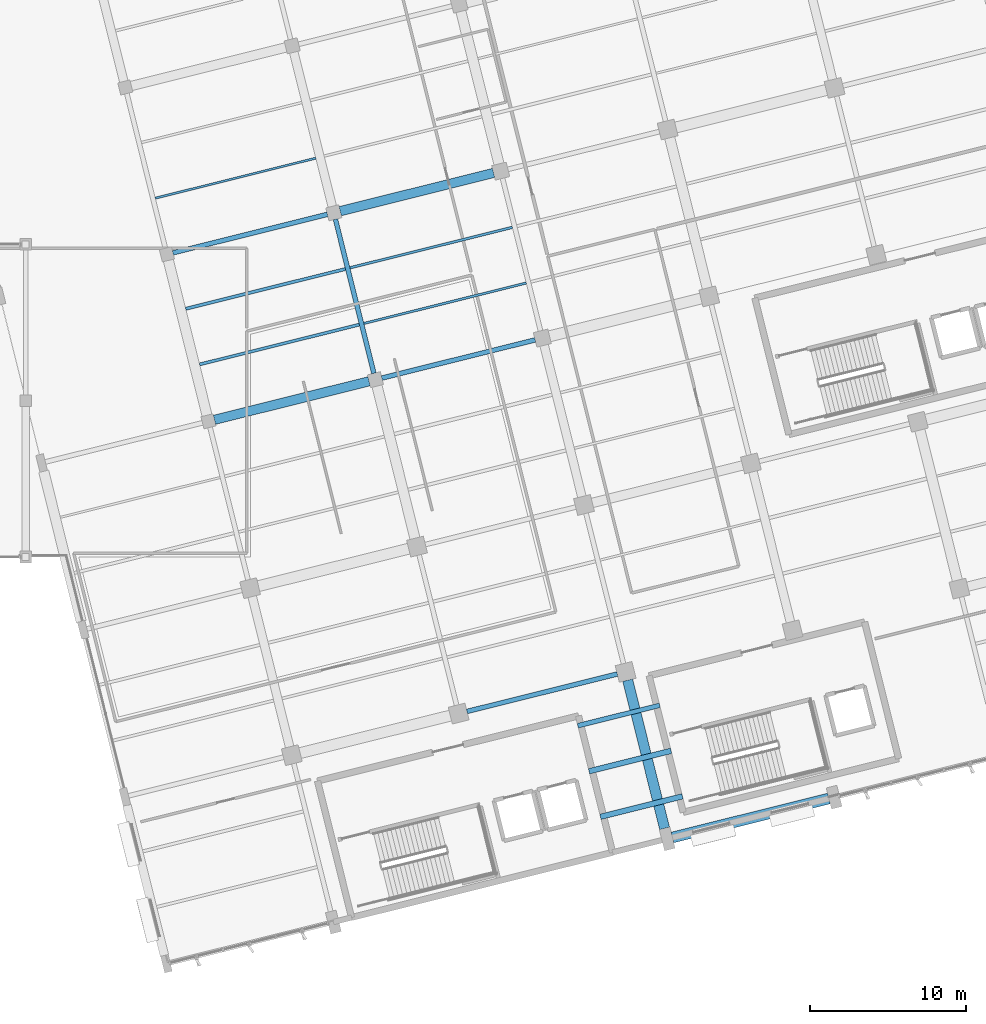
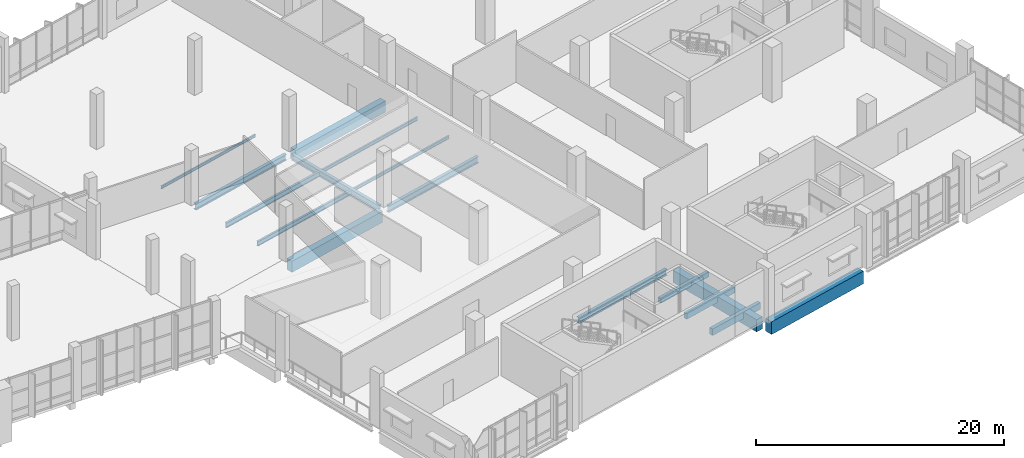
# One storey, part 75 of 176: 16 beams.
"""IFC4 building model written with IfcOpenShell, lengths in metres."""

from ifc_helpers import new_model, si_unit, direction, frame, origin, origin_2d, place, context, subcontext, project, spatial, rectangle, i_section, extrude, material, material_profile, profile_set, type_object, element, save


model = new_model("IFC4")

# Units and contexts
model_context = context("Model", 3, precision=1e-05, world=origin(), true_north=direction((0.0, 1.0)))
body_context = subcontext(model_context, "Body", "Model", "MODEL_VIEW")
ifc_project = project(units=[si_unit("LENGTHUNIT", "METRE"), si_unit("AREAUNIT", "SQUARE_METRE"), si_unit("VOLUMEUNIT", "CUBIC_METRE"), si_unit("PLANEANGLEUNIT", "RADIAN"), si_unit("MASSUNIT", "GRAM", prefix="KILO")], contexts=[model_context])

# Site, building, storey
site_placement = place(None, origin())
site = spatial("IfcSite", under=ifc_project, at=site_placement, CompositionType="ELEMENT")
building_placement = place(site_placement, origin())
building = spatial("IfcBuilding", under=site, at=building_placement, Name="Khorjan Park Terminus", CompositionType="ELEMENT")
storey_placement = place(building_placement, frame((0.0, 0.0, 6.0)))
storey = spatial("IfcBuildingStorey", under=building, at=storey_placement, Name="L01", CompositionType="ELEMENT", Elevation=6.0)

# Beams
ifc_material_1 = material(Name="Steel S355", Category="steel")
ifc_material_profile_1 = material_profile(ifc_material_1, i_section(OverallWidth=0.3, OverallDepth=0.64, WebThickness=0.0135, FlangeThickness=0.026, FilletRadius=0.027, at=origin_2d()), Name="HEA 650")
ifc_profile_set_1 = profile_set([ifc_material_profile_1], Name="Steel S355")
beam_type_1 = type_object("IfcBeamType", Name="BM-HEA650", PredefinedType="BEAM", material=ifc_profile_set_1)
beam_1_placement = place(storey_placement, frame((179.7706, 39.4436, -0.68), z_axis=(0.970294168541, 0.241928143249, 0.0), x_axis=(-0.241928143249, 0.970294168541, 0.0)))
element("IfcBeam", 1, at=beam_1_placement, inside=storey, type_object=beam_type_1, Name="Primary skew-grid floor girder SB-A65 (L01)", PredefinedType="BEAM", context=body_context, shape_type="SweptSolid", body=[
    extrude(i_section(OverallWidth=0.3, OverallDepth=0.64, WebThickness=0.0135, FlangeThickness=0.026, FilletRadius=0.027, at=origin_2d()), origin(), (0.0, 0.0, 1.0), 10.11),
])
ifc_material_profile_2 = material_profile(ifc_material_1, i_section(OverallWidth=0.3, OverallDepth=0.6, WebThickness=0.0155, FlangeThickness=0.03, FilletRadius=0.027, at=origin_2d()), Name="HEB 600")
ifc_profile_set_2 = profile_set([ifc_material_profile_2], Name="Steel S355")
beam_type_2 = type_object("IfcBeamType", Name="BM-HEB600", PredefinedType="BEAM", material=ifc_profile_set_2)
beam_2_placement = place(storey_placement, frame((185.2142, 18.1274, -0.66), z_axis=(0.970296634521, 0.241918252798, 0.0), x_axis=(-0.241918252798, 0.970296634521, 0.0)))
element("IfcBeam", 2, at=beam_2_placement, inside=storey, type_object=beam_type_2, Name="Primary skew-grid floor girder SB-B60 (L01)", PredefinedType="BEAM", context=body_context, shape_type="SweptSolid", body=[
    extrude(i_section(OverallWidth=0.3, OverallDepth=0.6, WebThickness=0.0155, FlangeThickness=0.03, FilletRadius=0.027, at=origin_2d()), origin(), (0.0, 0.0, 1.0), 9.91),
])
beam_3_placement = place(storey_placement, frame((166.412, 47.4497, -0.65), z_axis=(0.970294782603, 0.241925680435, 0.0), x_axis=(-0.241925680435, 0.970294782603, 0.0)))
element("IfcBeam", 3, at=beam_3_placement, inside=storey, type_object=beam_type_2, Name="Primary skew-grid floor girder SB-B60 (L01)", PredefinedType="BEAM", context=body_context, shape_type="SweptSolid", body=[
    extrude(i_section(OverallWidth=0.3, OverallDepth=0.6, WebThickness=0.0155, FlangeThickness=0.03, FilletRadius=0.027, at=origin_2d()), origin(), (0.0, 0.0, 1.0), 10.1849),
])
beam_4_placement = place(storey_placement, frame((179.2615, 39.7496, -0.65), z_axis=(-0.241928816007, 0.970294000798, 0.0), x_axis=(-0.970294000798, -0.241928816007, 0.0)))
element("IfcBeam", 4, at=beam_4_placement, inside=storey, type_object=beam_type_2, Name="Primary skew-grid floor girder SB-B60 (L01)", PredefinedType="BEAM", context=body_context, shape_type="SweptSolid", body=[
    extrude(i_section(OverallWidth=0.3, OverallDepth=0.6, WebThickness=0.0155, FlangeThickness=0.03, FilletRadius=0.027, at=origin_2d()), origin(), (0.0, 0.0, 1.0), 10.16),
])
ifc_material_2 = material(Name="Concrete C40/50", Category="concrete")
ifc_material_profile_3 = material_profile(ifc_material_2, rectangle(XDim=0.6, YDim=1.1, at=origin_2d()), Name="RC 600x1100")
ifc_profile_set_3 = profile_set([ifc_material_profile_3], Name="Concrete C40/50")
beam_type_3 = type_object("IfcBeamType", Name="BM-RC600x1100", PredefinedType="BEAM", material=ifc_profile_set_3)
beam_5_placement = place(storey_placement, frame((169.0731, 36.7765, -0.91), z_axis=(0.970297661932, 0.241914131974, 0.0), x_axis=(-0.241914131974, 0.970297661932, 0.0)))
element("IfcBeam", 5, at=beam_5_placement, inside=storey, type_object=beam_type_3, Name="Primary skew-grid floor girder GB-11 (L01)", PredefinedType="BEAM", context=body_context, shape_type="SweptSolid", body=[
    extrude(rectangle(XDim=0.6, YDim=1.1, at=origin_2d()), origin(), (0.0, 0.0, 1.0), 10.185),
])
beam_6_placement = place(storey_placement, frame((177.1095, 50.1169, -0.9), z_axis=(0.970296490369, 0.241918830968, 0.0), x_axis=(-0.241918830968, 0.970296490369, 0.0)))
element("IfcBeam", 6, at=beam_6_placement, inside=storey, type_object=beam_type_3, Name="Primary skew-grid floor girder GB-11 (L01)", PredefinedType="BEAM", context=body_context, shape_type="SweptSolid", body=[
    extrude(rectangle(XDim=0.6, YDim=1.1, at=origin_2d()), origin(), (0.0, 0.0, 1.0), 10.11),
])
ifc_material_profile_4 = material_profile(ifc_material_2, rectangle(XDim=0.65, YDim=1.2, at=origin_2d()), Name="RC 650x1200")
ifc_profile_set_4 = profile_set([ifc_material_profile_4], Name="Concrete C40/50")
beam_type_4 = type_object("IfcBeamType", Name="BM-RC650x1200", PredefinedType="BEAM", material=ifc_profile_set_4)
beam_7_placement = place(storey_placement, frame((197.8516, 10.6578, -0.96), z_axis=(-0.241915999835, 0.970297196236, 0.0), x_axis=(-0.970297196236, -0.241915999835, 0.0)))
element("IfcBeam", 7, at=beam_7_placement, inside=storey, type_object=beam_type_4, Name="Primary skew-grid floor girder GB-12 (L01)", PredefinedType="BEAM", context=body_context, shape_type="SweptSolid", body=[
    extrude(rectangle(XDim=0.65, YDim=1.2, at=origin_2d()), origin(), (0.0, 0.0, 1.0), 9.76),
])
ifc_material_profile_5 = material_profile(ifc_material_2, rectangle(XDim=0.7, YDim=1.25, at=origin_2d()), Name="RC 700x1250")
ifc_profile_set_5 = profile_set([ifc_material_profile_5], Name="Concrete C40/50")
beam_type_5 = type_object("IfcBeamType", Name="BM-RC700x1250", PredefinedType="BEAM", material=ifc_profile_set_5)
beam_8_placement = place(storey_placement, frame((198.3545, 10.0669, -0.985), z_axis=(0.970296351811, 0.241919386702, 0.0), x_axis=(-0.241919386702, 0.970296351811, 0.0)))
element("IfcBeam", 8, at=beam_8_placement, inside=storey, type_object=beam_type_5, Name="Primary skew-grid floor girder GB-125 (L01)", PredefinedType="BEAM", context=body_context, shape_type="SweptSolid", body=[
    extrude(rectangle(XDim=0.7, YDim=1.25, at=origin_2d()), origin(), (0.0, 0.0, 1.0), 10.31),
])
ifc_material_profile_6 = material_profile(ifc_material_1, i_section(OverallWidth=0.135, OverallDepth=0.27, WebThickness=0.0066, FlangeThickness=0.0102, FilletRadius=0.015, at=origin_2d()), Name="IPE 270")
ifc_profile_set_6 = profile_set([ifc_material_profile_6], Name="Steel S355")
beam_type_6 = type_object("IfcBeamType", Name="JS-IPE270", PredefinedType="JOIST", material=ifc_profile_set_6)
beam_9_placement = place(storey_placement, frame((165.2872, 50.9482, -0.485), z_axis=(0.970296385626, 0.241919251074, 0.0), x_axis=(-0.241919251074, 0.970296385626, 0.0)))
element("IfcBeam", 9, at=beam_9_placement, inside=storey, type_object=beam_type_6, Name="Secondary composite floor joist SJ-27 (L01)", PredefinedType="JOIST", context=body_context, shape_type="SweptSolid", body=[
    extrude(i_section(OverallWidth=0.135, OverallDepth=0.27, WebThickness=0.0066, FlangeThickness=0.0102, FilletRadius=0.015, at=origin_2d()), origin(), (0.0, 0.0, 1.0), 10.575),
])
ifc_material_profile_7 = material_profile(ifc_material_1, i_section(OverallWidth=0.15, OverallDepth=0.3, WebThickness=0.0071, FlangeThickness=0.0107, FilletRadius=0.015, at=origin_2d()), Name="IPE 300")
ifc_profile_set_7 = profile_set([ifc_material_profile_7], Name="Steel S355")
beam_type_7 = type_object("IfcBeamType", Name="JS-IPE300", PredefinedType="JOIST", material=ifc_profile_set_7)
beam_10_placement = place(storey_placement, frame((178.6216, 42.9361, -0.5), z_axis=(0.970294591155, 0.241926448278, 0.0), x_axis=(-0.241926448278, 0.970294591155, 0.0)))
element("IfcBeam", 10, at=beam_10_placement, inside=storey, type_object=beam_type_7, Name="Secondary composite floor joist SJ-30 (L01)", PredefinedType="JOIST", context=body_context, shape_type="SweptSolid", body=[
    extrude(i_section(OverallWidth=0.15, OverallDepth=0.3, WebThickness=0.0071, FlangeThickness=0.0107, FilletRadius=0.015, at=origin_2d()), origin(), (0.0, 0.0, 1.0), 10.6999),
])
ifc_material_profile_8 = material_profile(ifc_material_1, i_section(OverallWidth=0.16, OverallDepth=0.33, WebThickness=0.0075, FlangeThickness=0.0115, FilletRadius=0.018, at=origin_2d()), Name="IPE 330")
ifc_profile_set_8 = profile_set([ifc_material_profile_8], Name="Steel S355")
beam_type_8 = type_object("IfcBeamType", Name="JS-IPE330", PredefinedType="JOIST", material=ifc_profile_set_8)
beam_11_placement = place(storey_placement, frame((177.7345, 46.4938, -0.515), z_axis=(0.970295138144, 0.241924254455, 0.0), x_axis=(-0.241924254455, 0.970295138144, 0.0)))
element("IfcBeam", 11, at=beam_11_placement, inside=storey, type_object=beam_type_8, Name="Secondary composite floor joist SJ-33 (L01)", PredefinedType="JOIST", context=body_context, shape_type="SweptSolid", body=[
    extrude(i_section(OverallWidth=0.16, OverallDepth=0.33, WebThickness=0.0075, FlangeThickness=0.0115, FilletRadius=0.018, at=origin_2d()), origin(), (0.0, 0.0, 1.0), 10.7),
])
ifc_material_profile_9 = material_profile(ifc_material_1, i_section(OverallWidth=0.19, OverallDepth=0.45, WebThickness=0.0094, FlangeThickness=0.0146, FilletRadius=0.021, at=origin_2d()), Name="IPE 450")
ifc_profile_set_9 = profile_set([ifc_material_profile_9], Name="Steel S355")
beam_type_9 = type_object("IfcBeamType", Name="JS-IPE450", PredefinedType="JOIST", material=ifc_profile_set_9)
beam_12_placement = place(storey_placement, frame((168.1181, 40.3173, -0.575), z_axis=(0.970296558074, 0.241918559415, 0.0), x_axis=(-0.241918559415, 0.970296558074, 0.0)))
element("IfcBeam", 12, at=beam_12_placement, inside=storey, type_object=beam_type_9, Name="Secondary composite floor joist SJ-45 (L01)", PredefinedType="JOIST", context=body_context, shape_type="SweptSolid", body=[
    extrude(i_section(OverallWidth=0.19, OverallDepth=0.45, WebThickness=0.0094, FlangeThickness=0.0146, FilletRadius=0.021, at=origin_2d()), origin(), (0.0, 0.0, 1.0), 10.525),
])
ifc_material_profile_10 = material_profile(ifc_material_1, i_section(OverallWidth=0.2, OverallDepth=0.5, WebThickness=0.0102, FlangeThickness=0.016, FilletRadius=0.021, at=origin_2d()), Name="IPE 500")
ifc_profile_set_10 = profile_set([ifc_material_profile_10], Name="Steel S355")
beam_type_10 = type_object("IfcBeamType", Name="JS-IPE500", PredefinedType="JOIST", material=ifc_profile_set_10)
beam_13_placement = place(storey_placement, frame((167.2311, 43.875, -0.6), z_axis=(0.970296558074, 0.241918559415, 0.0), x_axis=(-0.241918559415, 0.970296558074, 0.0)))
element("IfcBeam", 13, at=beam_13_placement, inside=storey, type_object=beam_type_10, Name="Secondary composite floor joist SJ-50 (L01)", PredefinedType="JOIST", context=body_context, shape_type="SweptSolid", body=[
    extrude(i_section(OverallWidth=0.2, OverallDepth=0.5, WebThickness=0.0102, FlangeThickness=0.016, FilletRadius=0.021, at=origin_2d()), origin(), (0.0, 0.0, 1.0), 10.525),
])
ifc_material_profile_11 = material_profile(ifc_material_2, rectangle(XDim=0.3, YDim=0.5, at=origin_2d()), Name="RC 300x500")
ifc_profile_set_11 = profile_set([ifc_material_profile_11], Name="Concrete C40/50")
beam_type_11 = type_object("IfcBeamType", Name="LN-RC300x500", PredefinedType="LINTEL", material=ifc_profile_set_11)
beam_14_placement = place(storey_placement, frame((192.3005, 17.2146, -0.61), z_axis=(0.97029481357, 0.241925556235, 0.0), x_axis=(-0.241925556235, 0.97029481357, 0.0)))
element("IfcBeam", 14, at=beam_14_placement, inside=storey, type_object=beam_type_11, Name="Inter-core coupling lintel beam LN-50 (L01)", PredefinedType="LINTEL", context=body_context, shape_type="SweptSolid", body=[
    extrude(rectangle(XDim=0.3, YDim=0.5, at=origin_2d()), origin(), (0.0, 0.0, 1.0), 5.4),
])
ifc_material_profile_12 = material_profile(ifc_material_2, rectangle(XDim=0.35, YDim=0.55, at=origin_2d()), Name="RC 350x550")
ifc_profile_set_12 = profile_set([ifc_material_profile_12], Name="Concrete C40/50")
beam_type_12 = type_object("IfcBeamType", Name="LN-RC350x550", PredefinedType="LINTEL", material=ifc_profile_set_12)
beam_15_placement = place(storey_placement, frame((193.0263, 14.3037, -0.635), z_axis=(0.97029481357, 0.241925556235, 0.0), x_axis=(-0.241925556235, 0.97029481357, 0.0)))
element("IfcBeam", 15, at=beam_15_placement, inside=storey, type_object=beam_type_12, Name="Inter-core coupling lintel beam LN-55 (L01)", PredefinedType="LINTEL", context=body_context, shape_type="SweptSolid", body=[
    extrude(rectangle(XDim=0.35, YDim=0.55, at=origin_2d()), origin(), (0.0, 0.0, 1.0), 5.4),
])
ifc_material_profile_13 = material_profile(ifc_material_2, rectangle(XDim=0.35, YDim=0.65, at=origin_2d()), Name="RC 350x650")
ifc_profile_set_13 = profile_set([ifc_material_profile_13], Name="Concrete C40/50")
beam_type_13 = type_object("IfcBeamType", Name="LN-RC350x650", PredefinedType="LINTEL", material=ifc_profile_set_13)
beam_16_placement = place(storey_placement, frame((193.752, 11.3928, -0.685), z_axis=(0.97029481357, 0.241925556235, 0.0), x_axis=(-0.241925556235, 0.97029481357, 0.0)))
element("IfcBeam", 16, at=beam_16_placement, inside=storey, type_object=beam_type_13, Name="Inter-core coupling lintel beam LN-65 (L01)", PredefinedType="LINTEL", context=body_context, shape_type="SweptSolid", body=[
    extrude(rectangle(XDim=0.35, YDim=0.65, at=origin_2d()), origin(), (0.0, 0.0, 1.0), 5.4),
])

save(model, "model.ifc")
